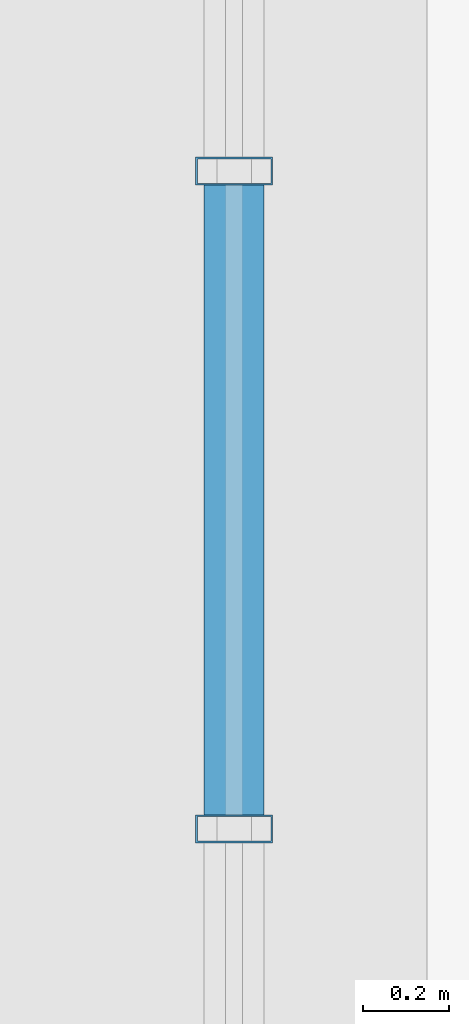
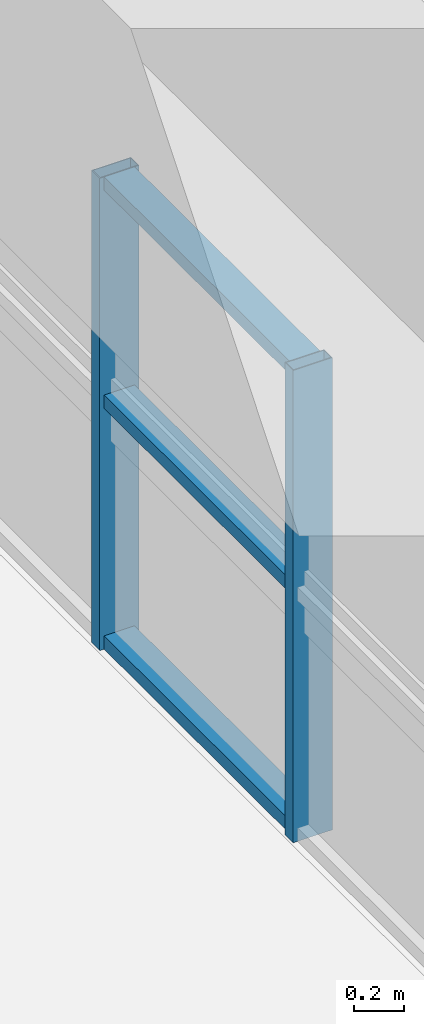
# One storey, part 8 of 35: 5 members, 1 element without a shape of its own.
"""IFC4 building model written with IfcOpenShell, lengths in metres."""

import ifcopenshell
import ifcopenshell.guid

model = None  # the IFC model being written
_history = None  # IfcOwnerHistory: only IFC2X3 demands one
_inside = {}  # id of a spatial element -> (the spatial element, [elements in it])
_under = {}  # id of a project, library or spatial element -> (it, [spatial elements below it])
_declared = {}  # id of a project -> (the project, [libraries it declares])
_typed = {}  # id of a type object -> (the type object, [elements of that type])
_made_of = {}  # id of a material, layer set ... -> (it, [elements and type objects made of it])


def new_model(schema):
    """Start an empty IFC model of exactly this schema.

    Asked for "IFC4X3", IfcOpenShell would pick the latest addendum, in which some entities
    have other attributes; the version numbers below select the first issue.
    IFC2X3 requires an IfcOwnerHistory on every rooted entity: one is made here for all.
    """
    global model, _history
    if schema == "IFC4X3":
        model = ifcopenshell.file(schema_version=(4, 3, 0, 0))
    else:
        model = ifcopenshell.file(schema=schema)
    _inside.clear()
    _under.clear()
    _declared.clear()
    _typed.clear()
    _made_of.clear()
    _history = None
    if model.schema == "IFC2X3":
        org = make("IfcOrganization", Name="unknown")
        user = make(
            "IfcPersonAndOrganization",
            ThePerson=make("IfcPerson", FamilyName="unknown"),
            TheOrganization=org,
        )
        app = make(
            "IfcApplication",
            ApplicationDeveloper=org,
            Version="unknown",
            ApplicationFullName="unknown",
            ApplicationIdentifier="unknown",
        )
        _history = make(
            "IfcOwnerHistory",
            OwningUser=user,
            OwningApplication=app,
            ChangeAction="ADDED",
            CreationDate=0,
        )
    return model


def make(cls, **values):
    """One entity of the class cls with the attributes given. An attribute that is None is left unset."""
    return model.create_entity(
        cls, **{name: value for name, value in values.items() if value is not None}
    )


def rooted(cls, **values):
    """An entity with a GlobalId (a new one), such as an element, a storey or a relation."""
    return make(cls, GlobalId=ifcopenshell.guid.new(), OwnerHistory=_history, **values)


def si_unit(unit_type, name, prefix=None):
    """IfcSIUnit, for example si_unit("LENGTHUNIT", "METRE", prefix="MILLI")."""
    return make("IfcSIUnit", UnitType=unit_type, Prefix=prefix, Name=name)


def assignment(units):
    """IfcUnitAssignment: the units of a project."""
    return None if units is None else make("IfcUnitAssignment", Units=units)


def point(xyz):
    """IfcCartesianPoint."""
    return None if xyz is None else make("IfcCartesianPoint", Coordinates=xyz)


def direction(xyz):
    """IfcDirection."""
    return None if xyz is None else make("IfcDirection", DirectionRatios=xyz)


def frame(location, z_axis=None, x_axis=None):
    """IfcAxis2Placement3D, a coordinate frame: its origin and axes. An axis left out is left unset."""
    return make(
        "IfcAxis2Placement3D",
        Location=point(location),
        Axis=direction(z_axis),
        RefDirection=direction(x_axis),
    )


def frame_2d(location, x_axis=None):
    """IfcAxis2Placement2D, a coordinate frame in the plane: its origin and x axis."""
    return make(
        "IfcAxis2Placement2D", Location=point(location), RefDirection=direction(x_axis)
    )


def origin():
    """The frame at (0, 0, 0) with its axes left unset."""
    return frame((0.0, 0.0, 0.0))


def origin_2d():
    """The frame at (0, 0) in the plane with its x axis left unset."""
    return frame_2d((0.0, 0.0))


def place(relative_to, where):
    """IfcLocalPlacement: puts the frame where relative to a parent placement (None: the world)."""
    return make(
        "IfcLocalPlacement", PlacementRelTo=relative_to, RelativePlacement=where
    )


def context(
    kind, dimensions, precision=None, world=None, true_north=None, identifier=None
):
    """IfcGeometricRepresentationContext, for example the 3D "Model" context."""
    return make(
        "IfcGeometricRepresentationContext",
        ContextIdentifier=identifier,
        ContextType=kind,
        CoordinateSpaceDimension=dimensions,
        Precision=precision,
        WorldCoordinateSystem=world,
        TrueNorth=true_north,
    )


def subcontext(parent, identifier, kind, view, scale=None):
    """IfcGeometricRepresentationSubContext, for example "Body" below "Model"."""
    return make(
        "IfcGeometricRepresentationSubContext",
        ContextIdentifier=identifier,
        ContextType=kind,
        ParentContext=parent,
        TargetScale=scale,
        TargetView=view,
    )


def project(units=None, contexts=None):
    """IfcProject with its units and contexts."""
    return rooted(
        "IfcProject",
        Name="project",
        RepresentationContexts=contexts,
        UnitsInContext=assignment(units),
    )


def spatial(cls, under=None, at=None, **own):
    """A site, building, storey or space (cls), placed at a placement, below another one or the project."""
    s = rooted(cls, ObjectPlacement=at, **own)
    if under is not None:
        _under.setdefault(under.id(), (under, []))[1].append(s)
    return s


def profile(cls, at=None, kind="AREA", **sizes):
    """A parametric profile (cls). Its sizes go by their IFC names, for example OverallWidth=200.0."""
    return make(cls, ProfileType=kind, Position=at, **sizes)


def hollow_rectangle(**sizes):
    """IfcRectangleHollowProfileDef."""
    return profile("IfcRectangleHollowProfileDef", **sizes)


def extrude(swept, where, along, depth):
    """IfcExtrudedAreaSolid: the profile swept, set in the frame where, extruded along a direction by depth."""
    return make(
        "IfcExtrudedAreaSolid",
        SweptArea=swept,
        Position=where,
        ExtrudedDirection=direction(along),
        Depth=depth,
    )


def shape(context_of_items, identifier, shape_type, items):
    """IfcShapeRepresentation: the items that make up one representation, for example the "Body"."""
    return make(
        "IfcShapeRepresentation",
        ContextOfItems=context_of_items,
        RepresentationIdentifier=identifier,
        RepresentationType=shape_type,
        Items=items,
    )


def source(mapping_origin, context_of_items, identifier, shape_type, items):
    """IfcRepresentationMap: a shape defined once, which mapped items show again and again."""
    return make(
        "IfcRepresentationMap",
        MappingOrigin=mapping_origin,
        MappedRepresentation=shape(context_of_items, identifier, shape_type, items),
    )


def transform(
    local_origin,
    x_axis=None,
    y_axis=None,
    z_axis=None,
    scale=None,
    scale2=None,
    scale3=None,
    uniform=True,
):
    """IfcCartesianTransformationOperator3D, or its non-uniform kind. x_axis, y_axis, z_axis: its Axis1, 2, 3."""
    if uniform:
        return make(
            "IfcCartesianTransformationOperator3D",
            Axis1=direction(x_axis),
            Axis2=direction(y_axis),
            LocalOrigin=point(local_origin),
            Scale=scale,
            Axis3=direction(z_axis),
        )
    return make(
        "IfcCartesianTransformationOperator3DnonUniform",
        Axis1=direction(x_axis),
        Axis2=direction(y_axis),
        LocalOrigin=point(local_origin),
        Scale=scale,
        Axis3=direction(z_axis),
        Scale2=scale2,
        Scale3=scale3,
    )


def mapped(mapping_source, mapping_target):
    """IfcMappedItem: shows the shape of a source again, moved by a transform."""
    return make(
        "IfcMappedItem", MappingSource=mapping_source, MappingTarget=mapping_target
    )


def material(Name=None, Category=None):
    """IfcMaterial."""
    return make("IfcMaterial", Name=Name, Category=Category)


def layer(
    of_material, thickness, ventilated=None, Name=None, Category=None, Priority=None
):
    """IfcMaterialLayer: one layer of a wall or slab, of a material (None: an air gap)."""
    return make(
        "IfcMaterialLayer",
        Material=of_material,
        LayerThickness=thickness,
        IsVentilated=ventilated,
        Name=Name,
        Category=Category,
        Priority=Priority,
    )


def layer_set(layers, Name=None):
    """IfcMaterialLayerSet."""
    return make("IfcMaterialLayerSet", MaterialLayers=layers, LayerSetName=Name)


def material_profile(
    of_material, cross_section, Name=None, Category=None, Priority=None
):
    """IfcMaterialProfile: a cross section and its material."""
    return make(
        "IfcMaterialProfile",
        Name=Name,
        Material=of_material,
        Profile=cross_section,
        Priority=Priority,
        Category=Category,
    )


def profile_set(profiles, Name=None, composite=None):
    """IfcMaterialProfileSet."""
    return make(
        "IfcMaterialProfileSet",
        Name=Name,
        MaterialProfiles=profiles,
        CompositeProfile=composite,
    )


def made_of(thing, what):
    """Note that an element or type object is made of a material, layer set ...; save() writes the relation."""
    if what is not None:
        _made_of.setdefault(what.id(), (what, []))[1].append(thing)
    return thing


def type_object(cls, material=None, **own):
    """A type object (cls), such as IfcWallType, which elements share."""
    return made_of(rooted(cls, **own), material)


def element(
    cls,
    number,
    at=None,
    inside=None,
    cuts=None,
    type_object=None,
    material=None,
    context=None,
    identifier="Body",
    shape_type=None,
    held_by="IfcProductDefinitionShape",
    body=None,
    shapes=None,
    **own,
):
    """One element of the class cls, such as IfcWall. Its Tag is "e" and its number.

    at: its placement. inside: the storey or other place that contains it. cuts: it is an
    opening in that element (IfcRelVoidsElement). A single representation is given by context,
    identifier, shape_type and body (its items); several are given by shapes. held_by: the class
    of the entity that holds the representations. save() writes the other relations.
    """
    e = rooted(cls, Tag="e%d" % number, ObjectPlacement=at, **own)
    if body is not None:
        shapes = [shape(context, identifier, shape_type, body)]
    if shapes is not None:
        e.Representation = make(held_by, Representations=shapes)
    if inside is not None:
        _inside.setdefault(inside.id(), (inside, []))[1].append(e)
    if cuts is not None:
        rooted(
            "IfcRelVoidsElement", RelatingBuildingElement=cuts, RelatedOpeningElement=e
        )
    if type_object is not None:
        _typed.setdefault(type_object.id(), (type_object, []))[1].append(e)
    return made_of(e, material)


def aggregate(whole, parts):
    """IfcRelAggregates: a whole, such as a stair, and the parts it consists of."""
    return rooted("IfcRelAggregates", RelatingObject=whole, RelatedObjects=parts)


def save(model, path):
    """Write the relations noted so far, then the file.

    IfcRelAggregates (storeys below a building ...), IfcRelContainedInSpatialStructure (elements
    in a storey), IfcRelDefinesByType, IfcRelAssociatesMaterial and IfcRelDeclares: one each for
    every whole, place, type object, material and project.
    """
    for whole, parts in _under.values():
        aggregate(whole, parts)
    for where, things in _inside.values():
        rooted(
            "IfcRelContainedInSpatialStructure",
            RelatedElements=things,
            RelatingStructure=where,
        )
    for kind, things in _typed.values():
        rooted("IfcRelDefinesByType", RelatedObjects=things, RelatingType=kind)
    for what, things in _made_of.values():
        rooted("IfcRelAssociatesMaterial", RelatedObjects=things, RelatingMaterial=what)
    for by, libraries in _declared.values():
        rooted("IfcRelDeclares", RelatingContext=by, RelatedDefinitions=libraries)
    model.write(path)


model = new_model("IFC4")

# Units and contexts
model_context = context("Model", 3, precision=1e-05, world=origin(), true_north=direction((0.0, 1.0)))
body_context = subcontext(model_context, "Body", "Model", "MODEL_VIEW")
ifc_project = project(units=[si_unit("LENGTHUNIT", "METRE"), si_unit("AREAUNIT", "SQUARE_METRE"), si_unit("VOLUMEUNIT", "CUBIC_METRE"), si_unit("PLANEANGLEUNIT", "RADIAN"), si_unit("MASSUNIT", "GRAM", prefix="KILO")], contexts=[model_context])

# Site, building, storey
site_placement = place(None, origin())
site = spatial("IfcSite", under=ifc_project, at=site_placement, CompositionType="ELEMENT")
building_placement = place(site_placement, origin())
building = spatial("IfcBuilding", under=site, at=building_placement, Name="Saelheon Loggia Tower", CompositionType="ELEMENT")
storey_placement = place(building_placement, frame((0.0, 0.0, 144.75)))
storey = spatial("IfcBuildingStorey", under=building, at=storey_placement, Name="L46", CompositionType="ELEMENT", Elevation=144.75)

# Curtain wall, members
ifc_material_1 = material(Name="Anodised Aluminium Acoustic Louvre Curtain Wall", Category="aluminium")
ifc_layer = layer(ifc_material_1, 0.179931640625)
ifc_layer_set = layer_set([ifc_layer], Name="Anodised Aluminium Acoustic Louvre Curtain Wall")
curtain_wall_type = type_object("IfcCurtainWallType", Name="CW_RefugeAcoustic", PredefinedType="NOTDEFINED", material=ifc_layer_set)
curtain_wall_placement = place(storey_placement, origin())
curtain_wall = element("IfcCurtainWall", 1, at=curtain_wall_placement, inside=storey, type_object=curtain_wall_type, Name="L46 W Refuge Acoustic Curtain Wall 2", PredefinedType="NOTDEFINED")
ifc_material_2 = material(Name="Anodised Aluminium 6063-T6", Category="aluminium")
ifc_material_profile_1 = material_profile(ifc_material_2, hollow_rectangle(XDim=0.06494140625, YDim=0.179931640625, WallThickness=0.00390625, at=origin_2d()), Name="RHS-180x65x4")
ifc_profile_set_1 = profile_set([ifc_material_profile_1], Name="Anodised Aluminium 6063-T6")
member_type_1 = type_object("IfcMemberType", Name="CW_RefugeAcoustic_Mullion", PredefinedType="MULLION", material=ifc_profile_set_1)
shared_shape_1 = source(origin(), body_context, "Body", "SweptSolid", [
    extrude(hollow_rectangle(XDim=0.06494140625, YDim=0.179931640625, WallThickness=0.00390625, at=origin_2d()), origin(), (0.0, 0.0, 1.0), 2.2900390625),
])
member_1_placement = place(storey_placement, frame((12.10009765625, 24.695556640625, 0.0), z_axis=(0.0, 0.0, 1.0), x_axis=(0.0, 1.0, 0.0)))
member_1 = element("IfcMember", 2, at=member_1_placement, type_object=member_type_1, Name="CW5 mullion 5", PredefinedType="MULLION", context=body_context, shape_type="MappedRepresentation", body=[
    mapped(shared_shape_1, transform((0.0, 0.0, 0.0), scale=1.0)),
])
member_2_placement = place(storey_placement, frame((12.10009765625, 26.23193359375, 0.0), z_axis=(0.0, 0.0, 1.0), x_axis=(0.0, 1.0, 0.0)))
member_2 = element("IfcMember", 3, at=member_2_placement, type_object=member_type_1, Name="CW5 mullion 6", PredefinedType="MULLION", context=body_context, shape_type="MappedRepresentation", body=[
    mapped(shared_shape_1, transform((0.0, 0.0, 0.0), scale=1.0)),
])
ifc_material_profile_2 = material_profile(ifc_material_2, hollow_rectangle(XDim=0.06494140625, YDim=0.139892578125, WallThickness=0.00390625, at=origin_2d()), Name="RHS-140x65x4")
ifc_profile_set_2 = profile_set([ifc_material_profile_2], Name="Anodised Aluminium 6063-T6")
member_type_2 = type_object("IfcMemberType", Name="CW_RefugeAcoustic_Transom", PredefinedType="USERDEFINED", material=ifc_profile_set_2)
shared_shape_2 = source(origin(), body_context, "Body", "SweptSolid", [
    extrude(hollow_rectangle(XDim=0.06494140625, YDim=0.139892578125, WallThickness=0.00390625, at=origin_2d()), origin(), (0.0, 0.0, 1.0), 1.47119140625),
])
member_3_placement = place(storey_placement, frame((12.10009765625, 24.72802734375, 0.032470703125), z_axis=(0.0, 1.0, 0.0), x_axis=(0.0, 0.0, 1.0)))
member_3 = element("IfcMember", 4, at=member_3_placement, type_object=member_type_2, Name="CW5 transom 5.1", ObjectType="TRANSOM", PredefinedType="USERDEFINED", context=body_context, shape_type="MappedRepresentation", body=[
    mapped(shared_shape_2, transform((0.0, 0.0, 0.0), scale=1.0)),
])
member_4_placement = place(storey_placement, frame((12.10009765625, 24.72802734375, 1.199951171875), z_axis=(0.0, 1.0, 0.0), x_axis=(0.0, 0.0, 1.0)))
member_4 = element("IfcMember", 5, at=member_4_placement, type_object=member_type_2, Name="CW5 transom 5.2", ObjectType="TRANSOM", PredefinedType="USERDEFINED", context=body_context, shape_type="MappedRepresentation", body=[
    mapped(shared_shape_2, transform((0.0, 0.0, 0.0), scale=1.0)),
])
member_5_placement = place(storey_placement, frame((12.10009765625, 24.72802734375, 2.257568359375), z_axis=(0.0, 1.0, 0.0), x_axis=(0.0, 0.0, 1.0)))
member_5 = element("IfcMember", 6, at=member_5_placement, type_object=member_type_2, Name="CW5 transom 5.3", ObjectType="TRANSOM", PredefinedType="USERDEFINED", context=body_context, shape_type="MappedRepresentation", body=[
    mapped(shared_shape_2, transform((0.0, 0.0, 0.0), scale=1.0)),
])
aggregate(curtain_wall, [member_1, member_2, member_3, member_4, member_5])

save(model, "model.ifc")
